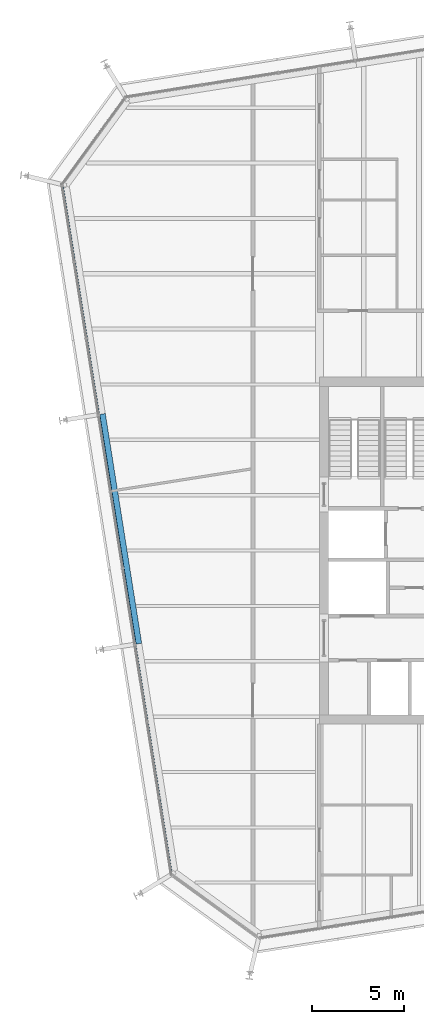
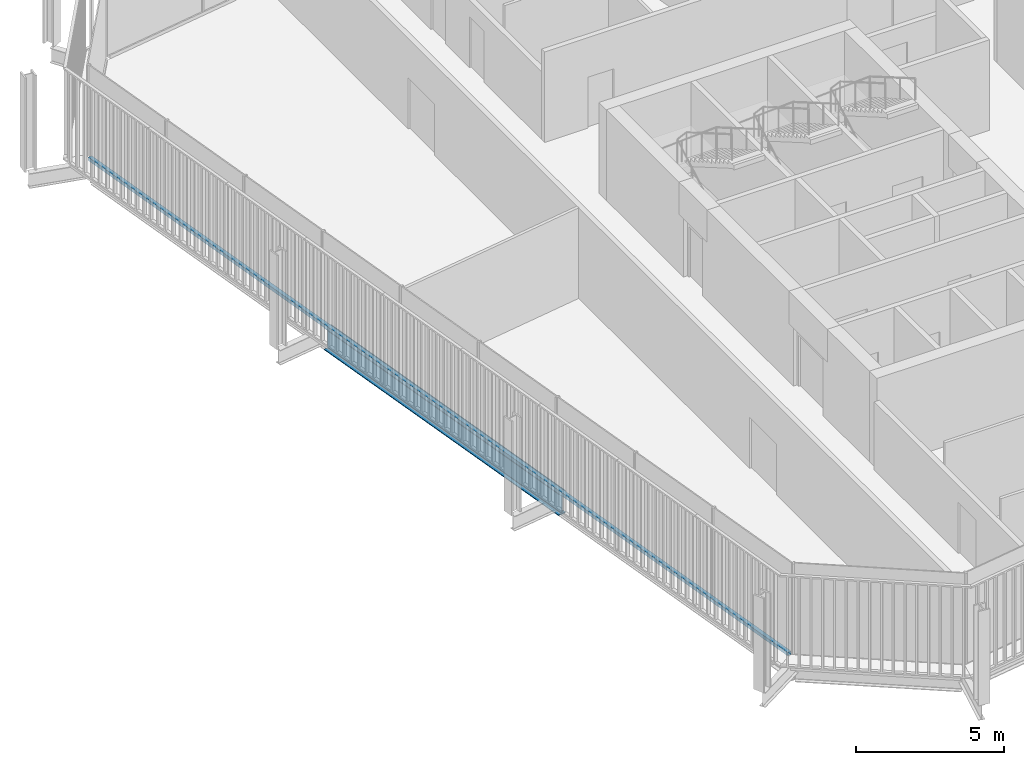
# One storey, part 5 of 20: 1 beam, 1 member, 1 element without a shape of its own.
"""IFC4 building model written with IfcOpenShell, lengths in metres."""

from ifc_helpers import new_model, si_unit, direction, frame, origin, origin_2d, place, context, subcontext, project, spatial, rectangle, i_section, extrude, material, layer, layer_set, material_profile, profile_set, type_object, element, aggregate, save


model = new_model("IFC4")

# Units and contexts
model_context = context("Model", 3, precision=1e-05, world=origin(), true_north=direction((0.0, 1.0)))
body_context = subcontext(model_context, "Body", "Model", "MODEL_VIEW")
ifc_project = project(units=[si_unit("LENGTHUNIT", "METRE"), si_unit("AREAUNIT", "SQUARE_METRE"), si_unit("VOLUMEUNIT", "CUBIC_METRE"), si_unit("PLANEANGLEUNIT", "RADIAN"), si_unit("MASSUNIT", "GRAM", prefix="KILO")], contexts=[model_context])

# Site, building, storey
site_placement = place(None, origin())
site = spatial("IfcSite", under=ifc_project, at=site_placement, CompositionType="ELEMENT")
building_placement = place(site_placement, origin())
building = spatial("IfcBuilding", under=site, at=building_placement, Name="Millrace Tower", CompositionType="ELEMENT")
storey_placement = place(building_placement, frame((0.0, 0.0, 216.39990234375)))
storey = spatial("IfcBuildingStorey", under=building, at=storey_placement, Name="L49", CompositionType="ELEMENT", Elevation=216.39990234375)

# Curtain wall, member
ifc_material_1 = material(Name="Aluminium and glass", Category="aluminium")
ifc_layer = layer(ifc_material_1, 0.14990234375)
ifc_layer_set = layer_set([ifc_layer], Name="Aluminium and glass")
curtain_wall_type = type_object("IfcCurtainWallType", Name="CW-1 office vision curtain wall", PredefinedType="NOTDEFINED", material=ifc_layer_set)
curtain_wall_placement = place(storey_placement, origin())
curtain_wall = element("IfcCurtainWall", 1, at=curtain_wall_placement, inside=storey, type_object=curtain_wall_type, Name="Curtain wall D-F08 L49", PredefinedType="NOTDEFINED")
ifc_material_2 = material(Name="Aluminium", Category="aluminium")
ifc_material_profile_1 = material_profile(ifc_material_2, rectangle(XDim=0.14990234375, YDim=0.139892578125, at=origin_2d()))
ifc_profile_set_1 = profile_set([ifc_material_profile_1], Name="Aluminium")
member_type = type_object("IfcMemberType", Name="CW-1 office vision curtain wall transom", PredefinedType="USERDEFINED", material=ifc_profile_set_1)
member_placement = place(storey_placement, frame((-28.331787109375, 19.708740234375, 0.070068359375), z_axis=(0.156432359726, -0.987688674042, 0.0), x_axis=(0.987688674042, 0.156432359726, 0.0)))
member = element("IfcMember", 2, at=member_placement, type_object=member_type, Name="CW1 transom D-F08.1", ObjectType="TRANSOM", PredefinedType="USERDEFINED", context=body_context, shape_type="SweptSolid", body=[
    extrude(rectangle(XDim=0.14990234375, YDim=0.139892578125, at=origin_2d()), origin(), (0.0, 0.0, 1.0), 37.599853515625),
])
aggregate(curtain_wall, [member])

# Beam
ifc_material_3 = material(Name="Steel ASTM A992 Grade 50", Category="steel")
ifc_material_profile_2 = material_profile(ifc_material_3, i_section(OverallWidth=0.307373046875, OverallDepth=0.927001953125, WebThickness=0.01953125, FlangeThickness=0.031982421875, FilletRadius=0.01904296875, at=origin_2d()))
ifc_profile_set_2 = profile_set([ifc_material_profile_2], Name="Steel ASTM A992 Grade 50")
beam_type = type_object("IfcBeamType", Name="Ring beam medium span W36x194", PredefinedType="SPANDREL", material=ifc_profile_set_2)
beam_placement = place(storey_placement, frame((-24.179443359375, -5.04638671875, -0.62353515625), z_axis=(-0.1564441342, 0.987686809102, 0.0), x_axis=(-0.987686809102, -0.1564441342, 0.0)))
element("IfcBeam", 3, at=beam_placement, inside=storey, type_object=beam_type, Name="RNG-D-L49-S1-02", PredefinedType="SPANDREL", context=body_context, shape_type="SweptSolid", body=[
    extrude(i_section(OverallWidth=0.307373046875, OverallDepth=0.927001953125, WebThickness=0.01953125, FlangeThickness=0.031982421875, FilletRadius=0.01904296875, at=origin_2d()), origin(), (0.0, 0.0, 1.0), 12.599853515625),
])

save(model, "model.ifc")
